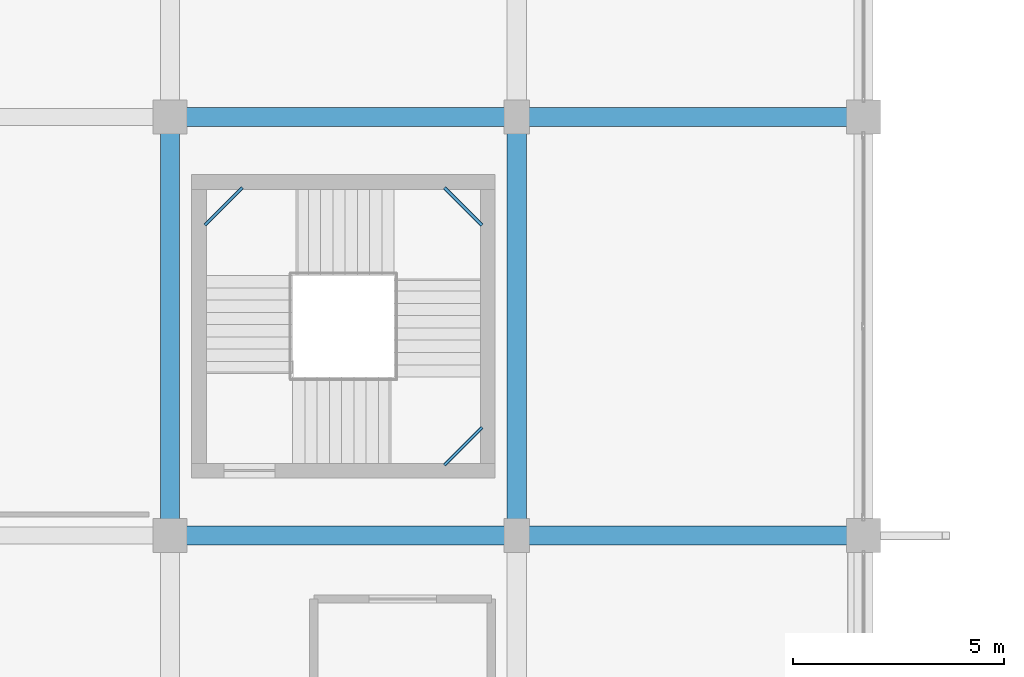
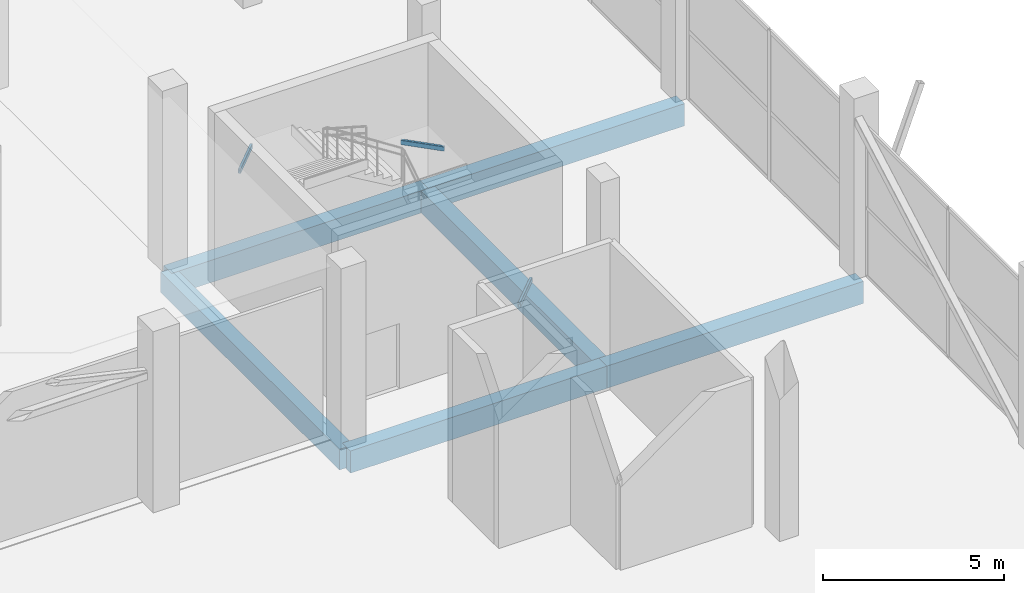
# One storey, part 11 of 46: 9 beams.
"""IFC4 building model written with IfcOpenShell, lengths in metres."""

from ifc_helpers import new_model, si_unit, direction, frame, origin, origin_2d, place, context, subcontext, project, spatial, rectangle, hollow_rectangle, extrude, material, material_profile, profile_set, type_object, element, save


model = new_model("IFC4")

# Units and contexts
model_context = context("Model", 3, precision=1e-05, world=origin(), true_north=direction((0.0, 1.0)))
body_context = subcontext(model_context, "Body", "Model", "MODEL_VIEW")
ifc_project = project(units=[si_unit("LENGTHUNIT", "METRE"), si_unit("AREAUNIT", "SQUARE_METRE"), si_unit("VOLUMEUNIT", "CUBIC_METRE"), si_unit("PLANEANGLEUNIT", "RADIAN"), si_unit("MASSUNIT", "GRAM", prefix="KILO")], contexts=[model_context])

# Site, building, storey
site_placement = place(None, origin())
site = spatial("IfcSite", under=ifc_project, at=site_placement, CompositionType="ELEMENT")
building_placement = place(site_placement, origin())
building = spatial("IfcBuilding", under=site, at=building_placement, Name="Sillaruma Civic Art Gallery", CompositionType="ELEMENT")
storey_placement = place(building_placement, frame((0.0, 0.0, 16.320068359375)))
storey = spatial("IfcBuildingStorey", under=building, at=storey_placement, Name="L03", CompositionType="ELEMENT", Elevation=16.320068359375)

# Beams
ifc_material_1 = material(Name="Concrete H40 (40 MPa)", Category="concrete")
ifc_material_profile_1 = material_profile(ifc_material_1, rectangle(XDim=0.449951171875, YDim=0.75, at=origin_2d()), Name="RCB450x750")
ifc_profile_set_1 = profile_set([ifc_material_profile_1], Name="Concrete H40 (40 MPa)")
beam_type_1 = type_object("IfcBeamType", Name="BM-BEAM-RCB450x750", PredefinedType="BEAM", material=ifc_profile_set_1)
for number, where, z_axis, x_axis, name in (
    (1, (98.0, 49.5, -0.655029296875), (1.0, 0.0, 0.0), (0.0, 1.0, 0.0), "Beam BM-03 (L02:6:L-M)"),
    (2, (106.199951171875, 49.5, -0.655029296875), (1.0, 0.0, 0.0), (0.0, 1.0, 0.0), "Beam BM-03 (L02:6:M-N)"),
    (3, (98.0, 59.39990234375, -0.655029296875), (1.0, 0.0, 0.0), (0.0, 1.0, 0.0), "Beam BM-03 (L02:7:L-M)"),
    (4, (106.199951171875, 59.39990234375, -0.655029296875), (1.0, 0.0, 0.0), (0.0, 1.0, 0.0), "Beam BM-03 (L02:7:M-N)"),
):
    element("IfcBeam", number, at=place(storey_placement, frame(where, z_axis=z_axis, x_axis=x_axis)), inside=storey, type_object=beam_type_1, Name=name, PredefinedType="BEAM", context=body_context, shape_type="SweptSolid", body=[
        extrude(rectangle(XDim=0.449951171875, YDim=0.75, at=origin_2d()), origin(), (0.0, 0.0, 1.0), 8.199951171875),
    ])
beam_1_placement = place(storey_placement, frame((106.199951171875, 49.5, -0.655029296875), z_axis=(0.0, 1.0, 0.0), x_axis=(-1.0, 0.0, 0.0)))
element("IfcBeam", 5, at=beam_1_placement, inside=storey, type_object=beam_type_1, Name="Beam BM-03 (L02:M:6-7)", PredefinedType="BEAM", context=body_context, shape_type="SweptSolid", body=[
    extrude(rectangle(XDim=0.449951171875, YDim=0.75, at=origin_2d()), origin(), (0.0, 0.0, 1.0), 9.89990234375),
])
ifc_material_2 = material(Name="Structural Steel ASTM A500 Gr.C", Category="steel")
ifc_material_profile_2 = material_profile(ifc_material_2, hollow_rectangle(XDim=0.080078125, YDim=0.159912109375, WallThickness=0.008056640625, InnerFilletRadius=0.008056640625, OuterFilletRadius=0.01611328125, at=origin_2d()), Name="HSS160x80x8")
ifc_profile_set_2 = profile_set([ifc_material_profile_2], Name="Structural Steel ASTM A500 Gr.C")
beam_type_2 = type_object("IfcBeamType", Name="BM-LND-HSS160", PredefinedType="BEAM", material=ifc_profile_set_2)
beam_2_placement = place(storey_placement, frame((104.489990234375, 51.169921875, 1.25), z_axis=(0.707009791025, 0.707203758046, 0.0), x_axis=(-0.707203758046, 0.707009791025, 0.0)))
element("IfcBeam", 6, at=beam_2_placement, inside=storey, type_object=beam_type_2, Name="Stair Corner Landing Trimmer Beam (ST-04-L03-1)", PredefinedType="BEAM", context=body_context, shape_type="SweptSolid", body=[
    extrude(hollow_rectangle(XDim=0.080078125, YDim=0.159912109375, WallThickness=0.008056640625, InnerFilletRadius=0.008056640625, OuterFilletRadius=0.01611328125, at=origin_2d()), origin(), (0.0, 0.0, 1.0), 1.2587890625),
])
for number, where, z_axis, x_axis, name in (
    (7, (104.489990234375, 57.72998046875, 2.780029296875), (0.707106781187, -0.707106781187, 0.0), (0.707106781187, 0.707106781187, 0.0), "Stair Corner Landing Trimmer Beam (ST-04-L03-2)"),
    (8, (98.820068359375, 56.840087890625, 4.309814453125), (0.707106781187, 0.707106781187, 0.0), (-0.707106781187, 0.707106781187, 0.0), "Stair Corner Landing Trimmer Beam (ST-04-L03-3)"),
):
    element("IfcBeam", number, at=place(storey_placement, frame(where, z_axis=z_axis, x_axis=x_axis)), inside=storey, type_object=beam_type_2, Name=name, PredefinedType="BEAM", context=body_context, shape_type="SweptSolid", body=[
        extrude(hollow_rectangle(XDim=0.080078125, YDim=0.159912109375, WallThickness=0.008056640625, InnerFilletRadius=0.008056640625, OuterFilletRadius=0.01611328125, at=origin_2d()), origin(), (0.0, 0.0, 1.0), 1.258544921875),
    ])
ifc_material_3 = material(Name="Concrete H35 (35 MPa)", Category="concrete")
ifc_material_profile_3 = material_profile(ifc_material_3, rectangle(XDim=0.449951171875, YDim=0.699951171875, at=origin_2d()), Name="RCB450x700")
ifc_profile_set_3 = profile_set([ifc_material_profile_3], Name="Concrete H35 (35 MPa)")
beam_type_3 = type_object("IfcBeamType", Name="BM-SPANDREL-RCB450x700", PredefinedType="SPANDREL", material=ifc_profile_set_3)
beam_3_placement = place(storey_placement, frame((98.0, 49.5, -0.630126953125), z_axis=(0.0, 1.0, 0.0), x_axis=(-1.0, 0.0, 0.0)))
element("IfcBeam", 9, at=beam_3_placement, inside=storey, type_object=beam_type_3, Name="Beam BS-03 (L02:L:6-7)", PredefinedType="SPANDREL", context=body_context, shape_type="SweptSolid", body=[
    extrude(rectangle(XDim=0.449951171875, YDim=0.699951171875, at=origin_2d()), origin(), (0.0, 0.0, 1.0), 9.89990234375),
])

save(model, "model.ifc")
